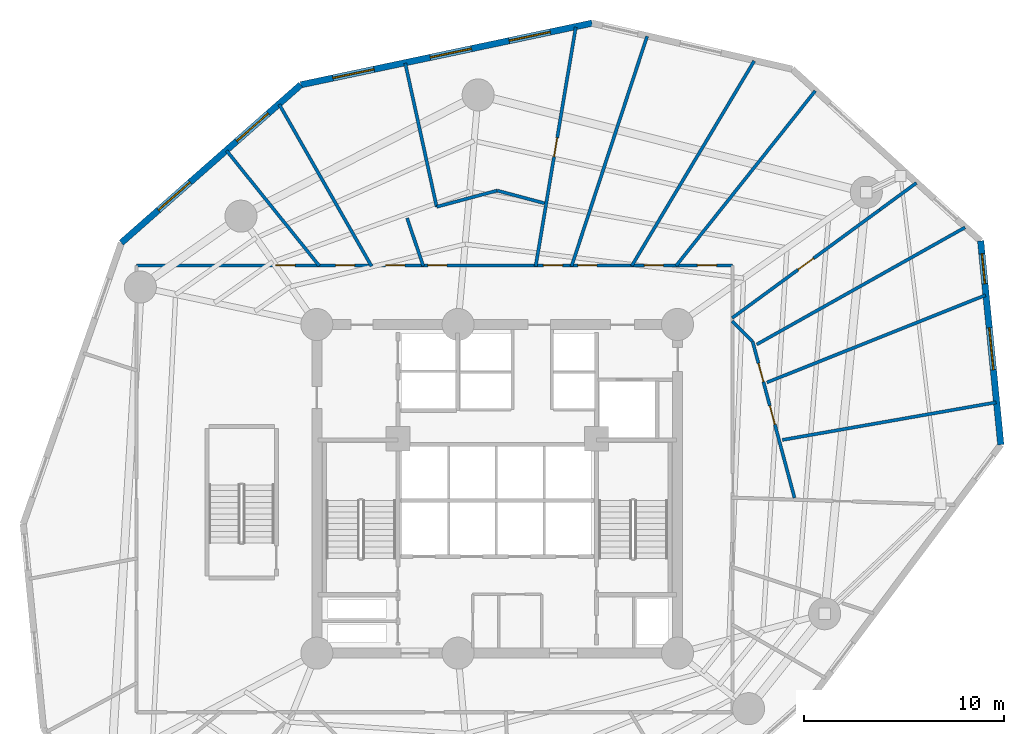
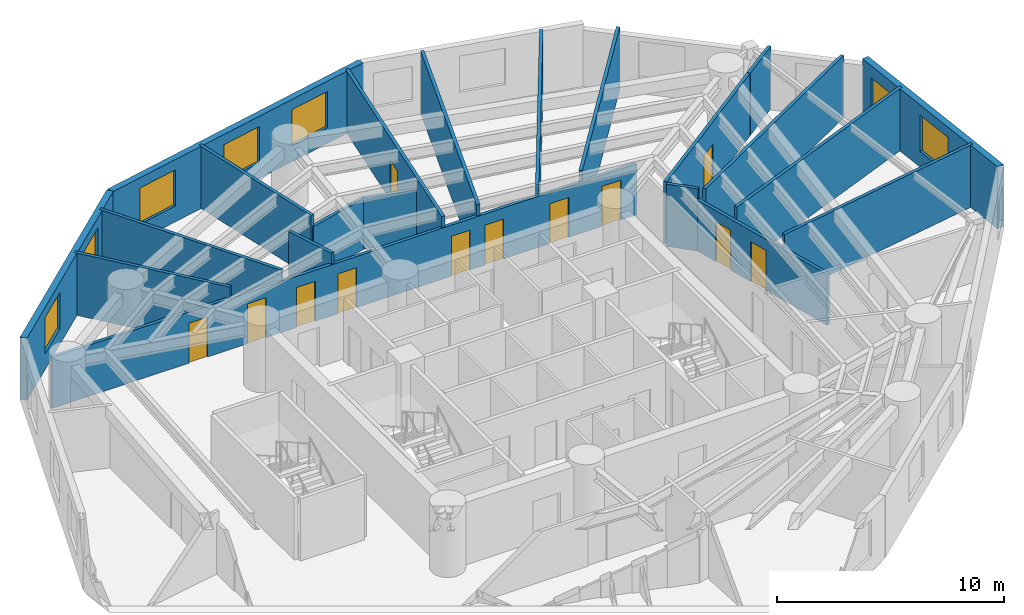
# One storey, part 6 of 8: 21 walls, 12 doors, 7 windows, 19 openings.
"""IFC4 building model written with IfcOpenShell, lengths in metres."""

import ifcopenshell
import ifcopenshell.guid

model = None  # the IFC model being written
_history = None  # IfcOwnerHistory: only IFC2X3 demands one
_inside = {}  # id of a spatial element -> (the spatial element, [elements in it])
_under = {}  # id of a project, library or spatial element -> (it, [spatial elements below it])
_declared = {}  # id of a project -> (the project, [libraries it declares])
_typed = {}  # id of a type object -> (the type object, [elements of that type])
_made_of = {}  # id of a material, layer set ... -> (it, [elements and type objects made of it])


def new_model(schema):
    """Start an empty IFC model of exactly this schema.

    Asked for "IFC4X3", IfcOpenShell would pick the latest addendum, in which some entities
    have other attributes; the version numbers below select the first issue.
    IFC2X3 requires an IfcOwnerHistory on every rooted entity: one is made here for all.
    """
    global model, _history
    if schema == "IFC4X3":
        model = ifcopenshell.file(schema_version=(4, 3, 0, 0))
    else:
        model = ifcopenshell.file(schema=schema)
    _inside.clear()
    _under.clear()
    _declared.clear()
    _typed.clear()
    _made_of.clear()
    _history = None
    if model.schema == "IFC2X3":
        org = make("IfcOrganization", Name="unknown")
        user = make(
            "IfcPersonAndOrganization",
            ThePerson=make("IfcPerson", FamilyName="unknown"),
            TheOrganization=org,
        )
        app = make(
            "IfcApplication",
            ApplicationDeveloper=org,
            Version="unknown",
            ApplicationFullName="unknown",
            ApplicationIdentifier="unknown",
        )
        _history = make(
            "IfcOwnerHistory",
            OwningUser=user,
            OwningApplication=app,
            ChangeAction="ADDED",
            CreationDate=0,
        )
    return model


def make(cls, **values):
    """One entity of the class cls with the attributes given. An attribute that is None is left unset."""
    return model.create_entity(
        cls, **{name: value for name, value in values.items() if value is not None}
    )


def rooted(cls, **values):
    """An entity with a GlobalId (a new one), such as an element, a storey or a relation."""
    return make(cls, GlobalId=ifcopenshell.guid.new(), OwnerHistory=_history, **values)


def si_unit(unit_type, name, prefix=None):
    """IfcSIUnit, for example si_unit("LENGTHUNIT", "METRE", prefix="MILLI")."""
    return make("IfcSIUnit", UnitType=unit_type, Prefix=prefix, Name=name)


def assignment(units):
    """IfcUnitAssignment: the units of a project."""
    return None if units is None else make("IfcUnitAssignment", Units=units)


def point(xyz):
    """IfcCartesianPoint."""
    return None if xyz is None else make("IfcCartesianPoint", Coordinates=xyz)


def direction(xyz):
    """IfcDirection."""
    return None if xyz is None else make("IfcDirection", DirectionRatios=xyz)


def frame(location, z_axis=None, x_axis=None):
    """IfcAxis2Placement3D, a coordinate frame: its origin and axes. An axis left out is left unset."""
    return make(
        "IfcAxis2Placement3D",
        Location=point(location),
        Axis=direction(z_axis),
        RefDirection=direction(x_axis),
    )


def frame_2d(location, x_axis=None):
    """IfcAxis2Placement2D, a coordinate frame in the plane: its origin and x axis."""
    return make(
        "IfcAxis2Placement2D", Location=point(location), RefDirection=direction(x_axis)
    )


def origin():
    """The frame at (0, 0, 0) with its axes left unset."""
    return frame((0.0, 0.0, 0.0))


def origin_with_axes():
    """The frame at (0, 0, 0) with the z axis (0, 0, 1) and the x axis (1, 0, 0) written out."""
    return frame((0.0, 0.0, 0.0), z_axis=(0.0, 0.0, 1.0), x_axis=(1.0, 0.0, 0.0))


def place(relative_to, where):
    """IfcLocalPlacement: puts the frame where relative to a parent placement (None: the world)."""
    return make(
        "IfcLocalPlacement", PlacementRelTo=relative_to, RelativePlacement=where
    )


def context(
    kind, dimensions, precision=None, world=None, true_north=None, identifier=None
):
    """IfcGeometricRepresentationContext, for example the 3D "Model" context."""
    return make(
        "IfcGeometricRepresentationContext",
        ContextIdentifier=identifier,
        ContextType=kind,
        CoordinateSpaceDimension=dimensions,
        Precision=precision,
        WorldCoordinateSystem=world,
        TrueNorth=true_north,
    )


def subcontext(parent, identifier, kind, view, scale=None):
    """IfcGeometricRepresentationSubContext, for example "Body" below "Model"."""
    return make(
        "IfcGeometricRepresentationSubContext",
        ContextIdentifier=identifier,
        ContextType=kind,
        ParentContext=parent,
        TargetScale=scale,
        TargetView=view,
    )


def project(units=None, contexts=None):
    """IfcProject with its units and contexts."""
    return rooted(
        "IfcProject",
        Name="project",
        RepresentationContexts=contexts,
        UnitsInContext=assignment(units),
    )


def spatial(cls, under=None, at=None, **own):
    """A site, building, storey or space (cls), placed at a placement, below another one or the project."""
    s = rooted(cls, ObjectPlacement=at, **own)
    if under is not None:
        _under.setdefault(under.id(), (under, []))[1].append(s)
    return s


def profile(cls, at=None, kind="AREA", **sizes):
    """A parametric profile (cls). Its sizes go by their IFC names, for example OverallWidth=200.0."""
    return make(cls, ProfileType=kind, Position=at, **sizes)


def rectangle(**sizes):
    """IfcRectangleProfileDef."""
    return profile("IfcRectangleProfileDef", **sizes)


def extrude(swept, where, along, depth):
    """IfcExtrudedAreaSolid: the profile swept, set in the frame where, extruded along a direction by depth."""
    return make(
        "IfcExtrudedAreaSolid",
        SweptArea=swept,
        Position=where,
        ExtrudedDirection=direction(along),
        Depth=depth,
    )


def shape(context_of_items, identifier, shape_type, items):
    """IfcShapeRepresentation: the items that make up one representation, for example the "Body"."""
    return make(
        "IfcShapeRepresentation",
        ContextOfItems=context_of_items,
        RepresentationIdentifier=identifier,
        RepresentationType=shape_type,
        Items=items,
    )


def source(mapping_origin, context_of_items, identifier, shape_type, items):
    """IfcRepresentationMap: a shape defined once, which mapped items show again and again."""
    return make(
        "IfcRepresentationMap",
        MappingOrigin=mapping_origin,
        MappedRepresentation=shape(context_of_items, identifier, shape_type, items),
    )


def transform(
    local_origin,
    x_axis=None,
    y_axis=None,
    z_axis=None,
    scale=None,
    scale2=None,
    scale3=None,
    uniform=True,
):
    """IfcCartesianTransformationOperator3D, or its non-uniform kind. x_axis, y_axis, z_axis: its Axis1, 2, 3."""
    if uniform:
        return make(
            "IfcCartesianTransformationOperator3D",
            Axis1=direction(x_axis),
            Axis2=direction(y_axis),
            LocalOrigin=point(local_origin),
            Scale=scale,
            Axis3=direction(z_axis),
        )
    return make(
        "IfcCartesianTransformationOperator3DnonUniform",
        Axis1=direction(x_axis),
        Axis2=direction(y_axis),
        LocalOrigin=point(local_origin),
        Scale=scale,
        Axis3=direction(z_axis),
        Scale2=scale2,
        Scale3=scale3,
    )


def mapped(mapping_source, mapping_target):
    """IfcMappedItem: shows the shape of a source again, moved by a transform."""
    return make(
        "IfcMappedItem", MappingSource=mapping_source, MappingTarget=mapping_target
    )


def material(Name=None, Category=None):
    """IfcMaterial."""
    return make("IfcMaterial", Name=Name, Category=Category)


def layer(
    of_material, thickness, ventilated=None, Name=None, Category=None, Priority=None
):
    """IfcMaterialLayer: one layer of a wall or slab, of a material (None: an air gap)."""
    return make(
        "IfcMaterialLayer",
        Material=of_material,
        LayerThickness=thickness,
        IsVentilated=ventilated,
        Name=Name,
        Category=Category,
        Priority=Priority,
    )


def layer_set(layers, Name=None):
    """IfcMaterialLayerSet."""
    return make("IfcMaterialLayerSet", MaterialLayers=layers, LayerSetName=Name)


def made_of(thing, what):
    """Note that an element or type object is made of a material, layer set ...; save() writes the relation."""
    if what is not None:
        _made_of.setdefault(what.id(), (what, []))[1].append(thing)
    return thing


def type_object(cls, material=None, **own):
    """A type object (cls), such as IfcWallType, which elements share."""
    return made_of(rooted(cls, **own), material)


def element(
    cls,
    number,
    at=None,
    inside=None,
    cuts=None,
    type_object=None,
    material=None,
    context=None,
    identifier="Body",
    shape_type=None,
    held_by="IfcProductDefinitionShape",
    body=None,
    shapes=None,
    **own,
):
    """One element of the class cls, such as IfcWall. Its Tag is "e" and its number.

    at: its placement. inside: the storey or other place that contains it. cuts: it is an
    opening in that element (IfcRelVoidsElement). A single representation is given by context,
    identifier, shape_type and body (its items); several are given by shapes. held_by: the class
    of the entity that holds the representations. save() writes the other relations.
    """
    e = rooted(cls, Tag="e%d" % number, ObjectPlacement=at, **own)
    if body is not None:
        shapes = [shape(context, identifier, shape_type, body)]
    if shapes is not None:
        e.Representation = make(held_by, Representations=shapes)
    if inside is not None:
        _inside.setdefault(inside.id(), (inside, []))[1].append(e)
    if cuts is not None:
        rooted(
            "IfcRelVoidsElement", RelatingBuildingElement=cuts, RelatedOpeningElement=e
        )
    if type_object is not None:
        _typed.setdefault(type_object.id(), (type_object, []))[1].append(e)
    return made_of(e, material)


def fill(opening, filler):
    """IfcRelFillsElement: the door or window that sits in an opening."""
    return rooted(
        "IfcRelFillsElement",
        RelatingOpeningElement=opening,
        RelatedBuildingElement=filler,
    )


def aggregate(whole, parts):
    """IfcRelAggregates: a whole, such as a stair, and the parts it consists of."""
    return rooted("IfcRelAggregates", RelatingObject=whole, RelatedObjects=parts)


def save(model, path):
    """Write the relations noted so far, then the file.

    IfcRelAggregates (storeys below a building ...), IfcRelContainedInSpatialStructure (elements
    in a storey), IfcRelDefinesByType, IfcRelAssociatesMaterial and IfcRelDeclares: one each for
    every whole, place, type object, material and project.
    """
    for whole, parts in _under.values():
        aggregate(whole, parts)
    for where, things in _inside.values():
        rooted(
            "IfcRelContainedInSpatialStructure",
            RelatedElements=things,
            RelatingStructure=where,
        )
    for kind, things in _typed.values():
        rooted("IfcRelDefinesByType", RelatedObjects=things, RelatingType=kind)
    for what, things in _made_of.values():
        rooted("IfcRelAssociatesMaterial", RelatedObjects=things, RelatingMaterial=what)
    for by, libraries in _declared.values():
        rooted("IfcRelDeclares", RelatingContext=by, RelatedDefinitions=libraries)
    model.write(path)


model = new_model("IFC4")

# Units and contexts
model_context = context("Model", 3, precision=1e-05, world=origin(), true_north=direction((0.0, 1.0)))
body_context = subcontext(model_context, "Body", "Model", "MODEL_VIEW")
ifc_project = project(units=[si_unit("LENGTHUNIT", "METRE"), si_unit("AREAUNIT", "SQUARE_METRE"), si_unit("VOLUMEUNIT", "CUBIC_METRE"), si_unit("PLANEANGLEUNIT", "RADIAN"), si_unit("MASSUNIT", "GRAM", prefix="KILO")], contexts=[model_context])

# Site, building, storey
site_placement = place(None, origin())
site = spatial("IfcSite", under=ifc_project, at=site_placement, CompositionType="ELEMENT")
building_placement = place(site_placement, origin())
building = spatial("IfcBuilding", under=site, at=building_placement, Name="Karkom Vertical University and Central Library", CompositionType="ELEMENT")
storey_placement = place(building_placement, frame((0.0, 0.0, 62.5)))
storey = spatial("IfcBuildingStorey", under=building, at=storey_placement, Name="L16", CompositionType="ELEMENT", Elevation=62.5)

# Wall, openings, windows
ifc_material_1 = material(Name="Brick-faced precast concrete C45/55", Category="masonry")
ifc_layer_1 = layer(ifc_material_1, 0.320068359375)
ifc_layer_set_1 = layer_set([ifc_layer_1], Name="Brick-faced precast concrete C45/55")
wall_type_1 = type_object("IfcWallType", Name="ENV-WL-BRK-320", PredefinedType="SOLIDWALL", material=ifc_layer_set_1)
wall_1_placement = place(storey_placement, frame((18.69775390625, 46.660888671875, 0.0), z_axis=(0.0, 0.0, 1.0), x_axis=(-0.750570189691, -0.66079073113, 0.0)))
wall_1 = element("IfcWall", 1, at=wall_1_placement, inside=storey, type_object=wall_type_1, Name="Level 16 Brick-Faced Precast Facade Wall 01", PredefinedType="SOLIDWALL", context=body_context, shape_type="SweptSolid", body=[
    extrude(rectangle(XDim=11.9296875, YDim=0.320068359375, at=frame_2d((5.96484375, 0.0))), origin(), (0.0, 0.0, 1.0), 3.35009765625),
])
opening_1_placement = place(wall_1_placement, frame((2.15380859375, 0.0, 0.85009765625)))
opening_1 = element("IfcOpeningElement", 2, at=opening_1_placement, cuts=wall_1, Name="Opening WN-03", PredefinedType="OPENING", context=body_context, shape_type="SweptSolid", body=[
    extrude(rectangle(XDim=2.10009765625, YDim=1.949951171875, at=frame_2d((1.050048828125, 0.97509765625))), frame((0.0, 0.169921875, 0.0), z_axis=(0.0, -1.0, 0.0), x_axis=(1.0, 0.0, 0.0)), (0.0, 0.0, 1.0), 0.340087890625),
])
opening_2_placement = place(wall_1_placement, frame((7.359619140625, 0.0, 0.85009765625)))
opening_2 = element("IfcOpeningElement", 3, at=opening_2_placement, cuts=wall_1, Name="Opening WN-03", PredefinedType="OPENING", context=body_context, shape_type="SweptSolid", body=[
    extrude(rectangle(XDim=2.10009765625, YDim=1.949951171875, at=frame_2d((1.050048828125, 0.97509765625))), frame((0.0, 0.169921875, 0.0), z_axis=(0.0, -1.0, 0.0), x_axis=(1.0, 0.0, 0.0)), (0.0, 0.0, 1.0), 0.340087890625),
])
ifc_material_2 = material(Name="Aluminium thermal-break frame with solar-control IGU", Category="aluminium")
window_type_1 = type_object("IfcWindowType", Name="ENV-WIN-WN-03", PartitioningType="SINGLE_PANEL", PredefinedType="WINDOW", material=ifc_material_2)
shared_shape_1 = source(origin_with_axes(), body_context, "Body", "SweptSolid", [
    extrude(rectangle(XDim=2.10009765625, YDim=1.949951171875, at=frame_2d((1.050048828125, 0.97509765625))), frame((0.0, 0.030029296875, 0.0), z_axis=(0.0, -1.0, 0.0), x_axis=(1.0, 0.0, 0.0)), (0.0, 0.0, 1.0), 0.06005859375),
])
window_1_placement = place(opening_1_placement, origin())
window_1 = element("IfcWindow", 4, at=window_1_placement, inside=storey, type_object=window_type_1, Name="Level 16 Punched Window 1.1", OverallHeight=1.949951171875, OverallWidth=2.10009765625, PartitioningType="SINGLE_PANEL", PredefinedType="WINDOW", context=body_context, shape_type="MappedRepresentation", body=[
    mapped(shared_shape_1, transform((0.0, 0.0, 0.0), scale=1.0)),
])
fill(opening_1, window_1)
window_2_placement = place(opening_2_placement, origin())
window_2 = element("IfcWindow", 5, at=window_2_placement, inside=storey, type_object=window_type_1, Name="Level 16 Punched Window 1.2", OverallHeight=1.949951171875, OverallWidth=2.10009765625, PartitioningType="SINGLE_PANEL", PredefinedType="WINDOW", context=body_context, shape_type="MappedRepresentation", body=[
    mapped(shared_shape_1, transform((0.0, 0.0, 0.0), scale=1.0)),
])
fill(opening_2, window_2)

wall_2_placement = place(storey_placement, frame((53.631591796875, 28.70263671875, 0.0), z_axis=(0.0, 0.0, 1.0), x_axis=(-0.098429761433, 0.995144000667, 0.0)))
wall_2 = element("IfcWall", 6, at=wall_2_placement, inside=storey, type_object=wall_type_1, Name="Level 16 Brick-Faced Precast Facade Wall 09", PredefinedType="SOLIDWALL", context=body_context, shape_type="SweptSolid", body=[
    extrude(rectangle(XDim=10.218994140625, YDim=0.320068359375, at=frame_2d((5.109375, 0.0))), origin(), (0.0, 0.0, 1.0), 3.35009765625),
])
opening_3_placement = place(wall_2_placement, frame((3.756591796875, 0.0, 0.85009765625)))
opening_3 = element("IfcOpeningElement", 7, at=opening_3_placement, cuts=wall_2, Name="Opening WN-03", PredefinedType="OPENING", context=body_context, shape_type="SweptSolid", body=[
    extrude(rectangle(XDim=2.10009765625, YDim=1.949951171875, at=frame_2d((1.050048828125, 0.97509765625))), frame((0.0, 0.169921875, 0.0), z_axis=(0.0, -1.0, 0.0), x_axis=(1.0, 0.0, 0.0)), (0.0, 0.0, 1.0), 0.340087890625),
])
opening_4_placement = place(wall_2_placement, frame((8.074462890625, 0.0, 0.85009765625)))
opening_4 = element("IfcOpeningElement", 8, at=opening_4_placement, cuts=wall_2, Name="Opening WN-05", PredefinedType="OPENING", context=body_context, shape_type="SweptSolid", body=[
    extrude(rectangle(XDim=1.5, YDim=1.85009765625, at=frame_2d((0.75, 0.925048828125))), frame((0.0, 0.169921875, 0.0), z_axis=(0.0, -1.0, 0.0), x_axis=(1.0, 0.0, 0.0)), (0.0, 0.0, 1.0), 0.340087890625),
])
window_3_placement = place(opening_3_placement, origin())
window_3 = element("IfcWindow", 9, at=window_3_placement, inside=storey, type_object=window_type_1, Name="Level 16 Punched Window 9.1", OverallHeight=1.949951171875, OverallWidth=2.10009765625, PartitioningType="SINGLE_PANEL", PredefinedType="WINDOW", context=body_context, shape_type="MappedRepresentation", body=[
    mapped(shared_shape_1, transform((0.0, 0.0, 0.0), scale=1.0)),
])
fill(opening_3, window_3)
window_type_2 = type_object("IfcWindowType", Name="ENV-WIN-WN-05", PartitioningType="SINGLE_PANEL", PredefinedType="WINDOW", material=ifc_material_2)
shared_shape_2 = source(origin_with_axes(), body_context, "Body", "SweptSolid", [
    extrude(rectangle(XDim=1.5, YDim=1.85009765625, at=frame_2d((0.75, 0.925048828125))), frame((0.0, 0.030029296875, 0.0), z_axis=(0.0, -1.0, 0.0), x_axis=(1.0, 0.0, 0.0)), (0.0, 0.0, 1.0), 0.06005859375),
])
window_4_placement = place(opening_4_placement, origin())
window_4 = element("IfcWindow", 10, at=window_4_placement, inside=storey, type_object=window_type_2, Name="Level 16 Punched Window 9.2", OverallHeight=1.85009765625, OverallWidth=1.5, PartitioningType="SINGLE_PANEL", PredefinedType="WINDOW", context=body_context, shape_type="MappedRepresentation", body=[
    mapped(shared_shape_2, transform((0.0, 0.0, 0.0), scale=1.0)),
])
fill(opening_4, window_4)

wall_3_placement = place(storey_placement, frame((33.236328125, 49.738525390625, 0.0), z_axis=(0.0, 0.0, 1.0), x_axis=(-0.9783201392, -0.207098298485, 0.0)))
wall_3 = element("IfcWall", 11, at=wall_3_placement, inside=storey, type_object=wall_type_1, Name="Level 16 Brick-Faced Precast Facade Wall 12", PredefinedType="SOLIDWALL", context=body_context, shape_type="SweptSolid", body=[
    extrude(rectangle(XDim=14.86083984375, YDim=0.320068359375, at=frame_2d((7.430419921875, 0.0))), origin(), (0.0, 0.0, 1.0), 3.35009765625),
])
opening_5_placement = place(wall_3_placement, frame((2.132568359375, 0.0, 0.85009765625)))
opening_5 = element("IfcOpeningElement", 12, at=opening_5_placement, cuts=wall_3, Name="Opening WN-03", PredefinedType="OPENING", context=body_context, shape_type="SweptSolid", body=[
    extrude(rectangle(XDim=2.10009765625, YDim=1.949951171875, at=frame_2d((1.050048828125, 0.97509765625))), frame((0.0, 0.169921875, 0.0), z_axis=(0.0, -1.0, 0.0), x_axis=(1.0, 0.0, 0.0)), (0.0, 0.0, 1.0), 0.340087890625),
])
opening_6_placement = place(wall_3_placement, frame((6.154541015625, 0.0, 0.85009765625)))
opening_6 = element("IfcOpeningElement", 13, at=opening_6_placement, cuts=wall_3, Name="Opening WN-03", PredefinedType="OPENING", context=body_context, shape_type="SweptSolid", body=[
    extrude(rectangle(XDim=2.10009765625, YDim=1.949951171875, at=frame_2d((1.050048828125, 0.97509765625))), frame((0.0, 0.169921875, 0.0), z_axis=(0.0, -1.0, 0.0), x_axis=(1.0, 0.0, 0.0)), (0.0, 0.0, 1.0), 0.340087890625),
])
opening_7_placement = place(wall_3_placement, frame((11.1181640625, 0.0, 0.85009765625)))
opening_7 = element("IfcOpeningElement", 14, at=opening_7_placement, cuts=wall_3, Name="Opening WN-03", PredefinedType="OPENING", context=body_context, shape_type="SweptSolid", body=[
    extrude(rectangle(XDim=2.10009765625, YDim=1.949951171875, at=frame_2d((1.050048828125, 0.97509765625))), frame((0.0, 0.169921875, 0.0), z_axis=(0.0, -1.0, 0.0), x_axis=(1.0, 0.0, 0.0)), (0.0, 0.0, 1.0), 0.340087890625),
])
window_5_placement = place(opening_5_placement, origin())
window_5 = element("IfcWindow", 15, at=window_5_placement, inside=storey, type_object=window_type_1, Name="Level 16 Punched Window 12.1", OverallHeight=1.949951171875, OverallWidth=2.10009765625, PartitioningType="SINGLE_PANEL", PredefinedType="WINDOW", context=body_context, shape_type="MappedRepresentation", body=[
    mapped(shared_shape_1, transform((0.0, 0.0, 0.0), scale=1.0)),
])
fill(opening_5, window_5)
window_6_placement = place(opening_6_placement, origin())
window_6 = element("IfcWindow", 16, at=window_6_placement, inside=storey, type_object=window_type_1, Name="Level 16 Punched Window 12.2", OverallHeight=1.949951171875, OverallWidth=2.10009765625, PartitioningType="SINGLE_PANEL", PredefinedType="WINDOW", context=body_context, shape_type="MappedRepresentation", body=[
    mapped(shared_shape_1, transform((0.0, 0.0, 0.0), scale=1.0)),
])
fill(opening_6, window_6)
window_7_placement = place(opening_7_placement, origin())
window_7 = element("IfcWindow", 17, at=window_7_placement, inside=storey, type_object=window_type_1, Name="Level 16 Punched Window 12.3", OverallHeight=1.949951171875, OverallWidth=2.10009765625, PartitioningType="SINGLE_PANEL", PredefinedType="WINDOW", context=body_context, shape_type="MappedRepresentation", body=[
    mapped(shared_shape_1, transform((0.0, 0.0, 0.0), scale=1.0)),
])
fill(opening_7, window_7)

# Wall, openings, doors
ifc_material_3 = material(Name="Insulated metal-stud drywall 160mm", Category="gypsum")
ifc_layer_2 = layer(ifc_material_3, 0.159912109375)
ifc_layer_set_2 = layer_set([ifc_layer_2], Name="Insulated metal-stud drywall 160mm")
wall_type_2 = type_object("IfcWallType", Name="INT-WL-COR-160", PredefinedType="PARTITIONING", material=ifc_layer_set_2)
wall_4_placement = place(storey_placement, frame((10.5, 37.64990234375, 0.0), z_axis=(0.0, 0.0, 1.0), x_axis=(1.0, 0.0, 0.0)))
wall_4 = element("IfcWall", 18, at=wall_4_placement, inside=storey, type_object=wall_type_2, Name="Level 16 Interior Partition Wall L16-CORW-CW-003", PredefinedType="PARTITIONING", context=body_context, shape_type="SweptSolid", body=[
    extrude(rectangle(XDim=29.75, YDim=0.159912109375, at=frame_2d((14.875, 0.0))), origin(), (0.0, 0.0, 1.0), 2.75),
])
opening_8_placement = place(wall_4_placement, frame((27.990234375, 0.0, 0.0)))
opening_8 = element("IfcOpeningElement", 19, at=opening_8_placement, cuts=wall_4, Name="Opening FD-RM2", PredefinedType="OPENING", context=body_context, shape_type="SweptSolid", body=[
    extrude(rectangle(XDim=0.9599609375, YDim=2.14990234375, at=frame_2d((0.47998046875, 1.074951171875))), frame((0.0, 0.08984375, 0.0), z_axis=(0.0, -1.0, 0.0), x_axis=(1.0, 0.0, 0.0)), (0.0, 0.0, 1.0), 0.179931640625),
])
opening_9_placement = place(wall_4_placement, frame((25.341796875, 0.0, 0.0)))
opening_9 = element("IfcOpeningElement", 20, at=opening_9_placement, cuts=wall_4, Name="Opening D-RM1", PredefinedType="OPENING", context=body_context, shape_type="SweptSolid", body=[
    extrude(rectangle(XDim=0.949951171875, YDim=2.14990234375, at=frame_2d((0.47509765625, 1.074951171875))), frame((0.0, 0.08984375, 0.0), z_axis=(0.0, -1.0, 0.0), x_axis=(1.0, 0.0, 0.0)), (0.0, 0.0, 1.0), 0.179931640625),
])
opening_10_placement = place(wall_4_placement, frame((22.027587890625, 0.0, 0.0)))
opening_10 = element("IfcOpeningElement", 21, at=opening_10_placement, cuts=wall_4, Name="Opening D-RM1", PredefinedType="OPENING", context=body_context, shape_type="SweptSolid", body=[
    extrude(rectangle(XDim=0.949951171875, YDim=2.14990234375, at=frame_2d((0.47509765625, 1.074951171875))), frame((0.0, 0.08984375, 0.0), z_axis=(0.0, -1.0, 0.0), x_axis=(1.0, 0.0, 0.0)), (0.0, 0.0, 1.0), 0.179931640625),
])
opening_11_placement = place(wall_4_placement, frame((20.3095703125, 0.0, 0.0)))
opening_11 = element("IfcOpeningElement", 22, at=opening_11_placement, cuts=wall_4, Name="Opening FD-RM2", PredefinedType="OPENING", context=body_context, shape_type="SweptSolid", body=[
    extrude(rectangle(XDim=0.9599609375, YDim=2.14990234375, at=frame_2d((0.47998046875, 1.074951171875))), frame((0.0, 0.08984375, 0.0), z_axis=(0.0, -1.0, 0.0), x_axis=(1.0, 0.0, 0.0)), (0.0, 0.0, 1.0), 0.179931640625),
])
opening_12_placement = place(wall_4_placement, frame((14.5400390625, 0.0, 0.0)))
opening_12 = element("IfcOpeningElement", 23, at=opening_12_placement, cuts=wall_4, Name="Opening D-RM1", PredefinedType="OPENING", context=body_context, shape_type="SweptSolid", body=[
    extrude(rectangle(XDim=0.949951171875, YDim=2.14990234375, at=frame_2d((0.47509765625, 1.074951171875))), frame((0.0, 0.08984375, 0.0), z_axis=(0.0, -1.0, 0.0), x_axis=(1.0, 0.0, 0.0)), (0.0, 0.0, 1.0), 0.179931640625),
])
opening_13_placement = place(wall_4_placement, frame((12.430419921875, 0.0, 0.0)))
opening_13 = element("IfcOpeningElement", 24, at=opening_13_placement, cuts=wall_4, Name="Opening FD-RM2", PredefinedType="OPENING", context=body_context, shape_type="SweptSolid", body=[
    extrude(rectangle(XDim=0.9599609375, YDim=2.14990234375, at=frame_2d((0.47998046875, 1.074951171875))), frame((0.0, 0.08984375, 0.0), z_axis=(0.0, -1.0, 0.0), x_axis=(1.0, 0.0, 0.0)), (0.0, 0.0, 1.0), 0.179931640625),
])
opening_14_placement = place(wall_4_placement, frame((9.9375, 0.0, 0.0)))
opening_14 = element("IfcOpeningElement", 25, at=opening_14_placement, cuts=wall_4, Name="Opening D-RM1", PredefinedType="OPENING", context=body_context, shape_type="SweptSolid", body=[
    extrude(rectangle(XDim=0.949951171875, YDim=2.14990234375, at=frame_2d((0.47509765625, 1.074951171875))), frame((0.0, 0.08984375, 0.0), z_axis=(0.0, -1.0, 0.0), x_axis=(1.0, 0.0, 0.0)), (0.0, 0.0, 1.0), 0.179931640625),
])
opening_15_placement = place(wall_4_placement, frame((6.96240234375, 0.0, 0.0)))
opening_15 = element("IfcOpeningElement", 26, at=opening_15_placement, cuts=wall_4, Name="Opening D-RM1", PredefinedType="OPENING", context=body_context, shape_type="SweptSolid", body=[
    extrude(rectangle(XDim=0.949951171875, YDim=2.14990234375, at=frame_2d((0.47509765625, 1.074951171875))), frame((0.0, 0.08984375, 0.0), z_axis=(0.0, -1.0, 0.0), x_axis=(1.0, 0.0, 0.0)), (0.0, 0.0, 1.0), 0.179931640625),
])
ifc_material_4 = material(Name="Fire-rated oak veneer door", Category="wood")
door_type_1 = type_object("IfcDoorType", Name="INT-DR-FRM2", OperationType="NOTDEFINED", PredefinedType="DOOR", material=ifc_material_4)
shared_shape_3 = source(origin_with_axes(), body_context, "Body", "SweptSolid", [
    extrude(rectangle(XDim=0.9599609375, YDim=2.14990234375, at=frame_2d((0.47998046875, 1.074951171875))), frame((0.0, 0.02490234375, 0.0), z_axis=(0.0, -1.0, 0.0), x_axis=(1.0, 0.0, 0.0)), (0.0, 0.0, 1.0), 0.050048828125),
])
door_1_placement = place(opening_8_placement, origin())
door_1 = element("IfcDoor", 27, at=door_1_placement, inside=storey, type_object=door_type_1, Name="Level 16 Room Entry Door 180", OperationType="SINGLE_SWING_LEFT", OverallHeight=2.14990234375, OverallWidth=0.9599609375, PredefinedType="DOOR", context=body_context, shape_type="MappedRepresentation", body=[
    mapped(shared_shape_3, transform((0.0, 0.0, 0.0), scale=1.0)),
])
fill(opening_8, door_1)
door_2_placement = place(opening_11_placement, origin())
door_2 = element("IfcDoor", 28, at=door_2_placement, inside=storey, type_object=door_type_1, Name="Level 16 Room Entry Door 210", OperationType="SINGLE_SWING_RIGHT", OverallHeight=2.14990234375, OverallWidth=0.9599609375, PredefinedType="DOOR", context=body_context, shape_type="MappedRepresentation", body=[
    mapped(shared_shape_3, transform((0.0, 0.0, 0.0), scale=1.0)),
])
fill(opening_11, door_2)
door_3_placement = place(opening_13_placement, origin())
door_3 = element("IfcDoor", 29, at=door_3_placement, inside=storey, type_object=door_type_1, Name="Level 16 Room Entry Door 240", OperationType="SINGLE_SWING_RIGHT", OverallHeight=2.14990234375, OverallWidth=0.9599609375, PredefinedType="DOOR", context=body_context, shape_type="MappedRepresentation", body=[
    mapped(shared_shape_3, transform((0.0, 0.0, 0.0), scale=1.0)),
])
fill(opening_13, door_3)
ifc_material_5 = material(Name="Solid-core oak veneer door", Category="wood")
door_type_2 = type_object("IfcDoorType", Name="INT-DR-RM1", OperationType="NOTDEFINED", PredefinedType="DOOR", material=ifc_material_5)
shared_shape_4 = source(origin_with_axes(), body_context, "Body", "SweptSolid", [
    extrude(rectangle(XDim=0.949951171875, YDim=2.14990234375, at=frame_2d((0.47509765625, 1.074951171875))), frame((0.0, 0.02490234375, 0.0), z_axis=(0.0, -1.0, 0.0), x_axis=(1.0, 0.0, 0.0)), (0.0, 0.0, 1.0), 0.050048828125),
])
door_4_placement = place(opening_9_placement, origin())
door_4 = element("IfcDoor", 30, at=door_4_placement, inside=storey, type_object=door_type_2, Name="Level 16 Room Entry Door 190", OperationType="SINGLE_SWING_RIGHT", OverallHeight=2.14990234375, OverallWidth=0.949951171875, PredefinedType="DOOR", context=body_context, shape_type="MappedRepresentation", body=[
    mapped(shared_shape_4, transform((0.0, 0.0, 0.0), scale=1.0)),
])
fill(opening_9, door_4)
door_5_placement = place(opening_10_placement, origin())
door_5 = element("IfcDoor", 31, at=door_5_placement, inside=storey, type_object=door_type_2, Name="Level 16 Room Entry Door 200", OperationType="SINGLE_SWING_LEFT", OverallHeight=2.14990234375, OverallWidth=0.949951171875, PredefinedType="DOOR", context=body_context, shape_type="MappedRepresentation", body=[
    mapped(shared_shape_4, transform((0.0, 0.0, 0.0), scale=1.0)),
])
fill(opening_10, door_5)
door_6_placement = place(opening_12_placement, origin())
door_6 = element("IfcDoor", 32, at=door_6_placement, inside=storey, type_object=door_type_2, Name="Level 16 Room Entry Door 230", OperationType="SINGLE_SWING_LEFT", OverallHeight=2.14990234375, OverallWidth=0.949951171875, PredefinedType="DOOR", context=body_context, shape_type="MappedRepresentation", body=[
    mapped(shared_shape_4, transform((0.0, 0.0, 0.0), scale=1.0)),
])
fill(opening_12, door_6)
door_7_placement = place(opening_14_placement, origin())
door_7 = element("IfcDoor", 33, at=door_7_placement, inside=storey, type_object=door_type_2, Name="Level 16 Room Entry Door 250", OperationType="SINGLE_SWING_LEFT", OverallHeight=2.14990234375, OverallWidth=0.949951171875, PredefinedType="DOOR", context=body_context, shape_type="MappedRepresentation", body=[
    mapped(shared_shape_4, transform((0.0, 0.0, 0.0), scale=1.0)),
])
fill(opening_14, door_7)
door_8_placement = place(opening_15_placement, origin())
door_8 = element("IfcDoor", 34, at=door_8_placement, inside=storey, type_object=door_type_2, Name="Level 16 Room Entry Door 260", OperationType="SINGLE_SWING_RIGHT", OverallHeight=2.14990234375, OverallWidth=0.949951171875, PredefinedType="DOOR", context=body_context, shape_type="MappedRepresentation", body=[
    mapped(shared_shape_4, transform((0.0, 0.0, 0.0), scale=1.0)),
])
fill(opening_15, door_8)

# Wall, opening, door
wall_5_placement = place(storey_placement, frame((30.422119140625, 37.605712890625, 0.0), z_axis=(0.0, 0.0, 1.0), x_axis=(0.16531531348, 0.986240765295, 0.0)))
wall_5 = element("IfcWall", 35, at=wall_5_placement, inside=storey, type_object=wall_type_2, Name="Level 16 Interior Partition Wall L16-PW-035", PredefinedType="PARTITIONING", context=body_context, shape_type="SweptSolid", body=[
    extrude(rectangle(XDim=12.0966796875, YDim=0.159912109375, at=frame_2d((6.04833984375, 0.0))), origin(), (0.0, 0.0, 1.0), 3.35009765625),
])
opening_16_placement = place(wall_5_placement, frame((5.54833984375, 0.0, 0.0)))
opening_16 = element("IfcOpeningElement", 36, at=opening_16_placement, cuts=wall_5, Name="Opening D-RM1", PredefinedType="OPENING", context=body_context, shape_type="SweptSolid", body=[
    extrude(rectangle(XDim=0.949951171875, YDim=2.14990234375, at=frame_2d((0.47509765625, 1.074951171875))), frame((0.0, 0.08984375, 0.0), z_axis=(0.0, -1.0, 0.0), x_axis=(1.0, 0.0, 0.0)), (0.0, 0.0, 1.0), 0.179931640625),
])
door_9_placement = place(opening_16_placement, origin())
door_9 = element("IfcDoor", 37, at=door_9_placement, inside=storey, type_object=door_type_2, Name="Level 16 Room Entry Door 220", OperationType="SINGLE_SWING_LEFT", OverallHeight=2.14990234375, OverallWidth=0.949951171875, PredefinedType="DOOR", context=body_context, shape_type="MappedRepresentation", body=[
    mapped(shared_shape_4, transform((0.0, 0.0, 0.0), scale=1.0)),
])
fill(opening_16, door_9)

# Walls
wall_6_placement = place(storey_placement, frame((32.2119140625, 37.607177734375, 0.0), z_axis=(0.0, 0.0, 1.0), x_axis=(0.312083182385, 0.950054781195, 0.0)))
element("IfcWall", 38, at=wall_6_placement, inside=storey, type_object=wall_type_2, Name="Level 16 Interior Partition Wall L16-PW-034", PredefinedType="PARTITIONING", context=body_context, shape_type="SweptSolid", body=[
    extrude(rectangle(XDim=12.07861328125, YDim=0.159912109375, at=frame_2d((6.039306640625, 0.0))), origin(), (0.0, 0.0, 1.0), 3.35009765625),
])
wall_7_placement = place(storey_placement, frame((41.451904296875, 33.706298828125, 0.0), z_axis=(0.0, 0.0, 1.0), x_axis=(0.87188055056, 0.489718598335, 0.0)))
element("IfcWall", 39, at=wall_7_placement, inside=storey, type_object=wall_type_2, Name="Level 16 Interior Partition Wall L16-PW-029", PredefinedType="PARTITIONING", context=body_context, shape_type="SweptSolid", body=[
    extrude(rectangle(XDim=11.92138671875, YDim=0.159912109375, at=frame_2d((5.960693359375, 0.0))), origin(), (0.0, 0.0, 1.0), 3.35009765625),
])
wall_8_placement = place(storey_placement, frame((35.21533203125, 37.624267578125, 0.0), z_axis=(0.0, 0.0, 1.0), x_axis=(0.512861528195, 0.858471346579, 0.0)))
element("IfcWall", 40, at=wall_8_placement, inside=storey, type_object=wall_type_2, Name="Level 16 Interior Partition Wall L16-PW-033", PredefinedType="PARTITIONING", context=body_context, shape_type="SweptSolid", body=[
    extrude(rectangle(XDim=11.914306640625, YDim=0.159912109375, at=frame_2d((5.95703125, 0.0))), origin(), (0.0, 0.0, 1.0), 3.35009765625),
])
wall_9_placement = place(storey_placement, frame((41.960205078125, 31.80908203125, 0.0), z_axis=(0.0, 0.0, 1.0), x_axis=(0.928727403057, 0.370763281368, 0.0)))
element("IfcWall", 41, at=wall_9_placement, inside=storey, type_object=wall_type_2, Name="Level 16 Interior Partition Wall L16-PW-028", PredefinedType="PARTITIONING", context=body_context, shape_type="SweptSolid", body=[
    extrude(rectangle(XDim=11.74267578125, YDim=0.159912109375, at=frame_2d((5.871337890625, 0.0))), origin(), (0.0, 0.0, 1.0), 3.35009765625),
])
wall_10_placement = place(storey_placement, frame((37.42578125, 37.62646484375, 0.0), z_axis=(0.0, 0.0, 1.0), x_axis=(0.62246479183, 0.782647802611, 0.0)))
element("IfcWall", 42, at=wall_10_placement, inside=storey, type_object=wall_type_2, Name="Level 16 Interior Partition Wall L16-PW-032", PredefinedType="PARTITIONING", context=body_context, shape_type="SweptSolid", body=[
    extrude(rectangle(XDim=11.15966796875, YDim=0.159912109375, at=frame_2d((5.579833984375, 0.0))), origin(), (0.0, 0.0, 1.0), 3.35009765625),
])
wall_11_placement = place(storey_placement, frame((42.72900390625, 28.9404296875, 0.0), z_axis=(0.0, 0.0, 1.0), x_axis=(0.984896798887, 0.173142414048, 0.0)))
element("IfcWall", 43, at=wall_11_placement, inside=storey, type_object=wall_type_2, Name="Level 16 Interior Partition Wall L16-PW-025", PredefinedType="PARTITIONING", context=body_context, shape_type="SweptSolid", body=[
    extrude(rectangle(XDim=10.83203125, YDim=0.159912109375, at=frame_2d((5.416015625, 0.0))), origin(), (0.0, 0.0, 1.0), 3.35009765625),
])
wall_12_placement = place(storey_placement, frame((22.23046875, 37.61083984375, 0.0), z_axis=(0.0, 0.0, 1.0), x_axis=(-0.49551633336, 0.868598620407, 0.0)))
element("IfcWall", 44, at=wall_12_placement, inside=storey, type_object=wall_type_2, Name="Level 16 Interior Partition Wall L16-PW-040", PredefinedType="PARTITIONING", context=body_context, shape_type="SweptSolid", body=[
    extrude(rectangle(XDim=9.292236328125, YDim=0.159912109375, at=frame_2d((4.64599609375, 0.0))), origin(), (0.0, 0.0, 1.0), 3.35009765625),
])

# Wall, opening, door
wall_13_placement = place(storey_placement, frame((40.225830078125, 35.0234375, 0.0), z_axis=(0.0, 0.0, 1.0), x_axis=(0.806433081641, 0.591325362922, 0.0)))
wall_13 = element("IfcWall", 45, at=wall_13_placement, inside=storey, type_object=wall_type_2, Name="Level 16 Interior Partition Wall L16-PW-030", PredefinedType="PARTITIONING", context=body_context, shape_type="SweptSolid", body=[
    extrude(rectangle(XDim=9.119384765625, YDim=0.159912109375, at=frame_2d((4.5595703125, 0.0))), origin(), (0.0, 0.0, 1.0), 3.35009765625),
])
opening_17_placement = place(wall_13_placement, frame((4.084716796875, 0.0, 0.0)))
opening_17 = element("IfcOpeningElement", 46, at=opening_17_placement, cuts=wall_13, Name="Opening D-RM1", PredefinedType="OPENING", context=body_context, shape_type="SweptSolid", body=[
    extrude(rectangle(XDim=0.949951171875, YDim=2.14990234375, at=frame_2d((0.47509765625, 1.074951171875))), frame((0.0, 0.08984375, 0.0), z_axis=(0.0, -1.0, 0.0), x_axis=(1.0, 0.0, 0.0)), (0.0, 0.0, 1.0), 0.179931640625),
])
door_10_placement = place(opening_17_placement, origin())
door_10 = element("IfcDoor", 47, at=door_10_placement, inside=storey, type_object=door_type_2, Name="Level 16 Room Entry Door 170", OperationType="SINGLE_SWING_RIGHT", OverallHeight=2.14990234375, OverallWidth=0.949951171875, PredefinedType="DOOR", context=body_context, shape_type="MappedRepresentation", body=[
    mapped(shared_shape_4, transform((0.0, 0.0, 0.0), scale=1.0)),
])
fill(opening_17, door_10)

# Wall, openings, doors
wall_14_placement = place(storey_placement, frame((41.245361328125, 33.858642578125, 0.0), z_axis=(0.0, 0.0, 1.0), x_axis=(0.258823600504, -0.965924605661, 0.0)))
wall_14 = element("IfcWall", 48, at=wall_14_placement, inside=storey, type_object=wall_type_2, Name="Level 16 Interior Partition Wall L16-PW-026", PredefinedType="PARTITIONING", context=body_context, shape_type="SweptSolid", body=[
    extrude(rectangle(XDim=8.087646484375, YDim=0.159912109375, at=frame_2d((4.0439453125, 0.0))), origin(), (0.0, 0.0, 1.0), 2.75),
])
opening_18_placement = place(wall_14_placement, frame((3.333984375, 0.0, 0.0)))
opening_18 = element("IfcOpeningElement", 49, at=opening_18_placement, cuts=wall_14, Name="Opening FD-RM2", PredefinedType="OPENING", context=body_context, shape_type="SweptSolid", body=[
    extrude(rectangle(XDim=0.9599609375, YDim=2.14990234375, at=frame_2d((0.47998046875, 1.074951171875))), frame((0.0, 0.08984375, 0.0), z_axis=(0.0, -1.0, 0.0), x_axis=(1.0, 0.0, 0.0)), (0.0, 0.0, 1.0), 0.179931640625),
])
opening_19_placement = place(wall_14_placement, frame((1.139404296875, 0.0, 0.0)))
opening_19 = element("IfcOpeningElement", 50, at=opening_19_placement, cuts=wall_14, Name="Opening D-RM1", PredefinedType="OPENING", context=body_context, shape_type="SweptSolid", body=[
    extrude(rectangle(XDim=0.949951171875, YDim=2.14990234375, at=frame_2d((0.47509765625, 1.074951171875))), frame((0.0, 0.08984375, 0.0), z_axis=(0.0, -1.0, 0.0), x_axis=(1.0, 0.0, 0.0)), (0.0, 0.0, 1.0), 0.179931640625),
])
door_11_placement = place(opening_18_placement, origin())
door_11 = element("IfcDoor", 51, at=door_11_placement, inside=storey, type_object=door_type_1, Name="Level 16 Room Entry Door 150", OperationType="SINGLE_SWING_RIGHT", OverallHeight=2.14990234375, OverallWidth=0.9599609375, PredefinedType="DOOR", context=body_context, shape_type="MappedRepresentation", body=[
    mapped(shared_shape_3, transform((0.0, 0.0, 0.0), scale=1.0)),
])
fill(opening_18, door_11)
door_12_placement = place(opening_19_placement, origin())
door_12 = element("IfcDoor", 52, at=door_12_placement, inside=storey, type_object=door_type_2, Name="Level 16 Room Entry Door 160", OperationType="SINGLE_SWING_LEFT", OverallHeight=2.14990234375, OverallWidth=0.949951171875, PredefinedType="DOOR", context=body_context, shape_type="MappedRepresentation", body=[
    mapped(shared_shape_4, transform((0.0, 0.0, 0.0), scale=1.0)),
])
fill(opening_19, door_12)

# Walls
wall_15_placement = place(storey_placement, frame((19.624267578125, 37.626708984375, 0.0), z_axis=(0.0, 0.0, 1.0), x_axis=(-0.626896706466, 0.779102380578, 0.0)))
element("IfcWall", 53, at=wall_15_placement, inside=storey, type_object=wall_type_2, Name="Level 16 Interior Partition Wall L16-PW-041", PredefinedType="PARTITIONING", context=body_context, shape_type="SweptSolid", body=[
    extrude(rectangle(XDim=7.375244140625, YDim=0.159912109375, at=frame_2d((3.6875, 0.0))), origin(), (0.0, 0.0, 1.0), 3.35009765625),
])
wall_16_placement = place(storey_placement, frame((25.48095703125, 40.573974609375, 0.0), z_axis=(0.0, 0.0, 1.0), x_axis=(-0.213820958003, 0.976872866815, 0.0)))
element("IfcWall", 54, at=wall_16_placement, inside=storey, type_object=wall_type_2, Name="Level 16 Interior Partition Wall L16-PW-038", PredefinedType="PARTITIONING", context=body_context, shape_type="SweptSolid", body=[
    extrude(rectangle(XDim=7.3349609375, YDim=0.159912109375, at=frame_2d((3.66748046875, 0.0))), origin(), (0.0, 0.0, 1.0), 3.35009765625),
])
wall_17_placement = place(storey_placement, frame((28.5, 41.3828125, 0.0), z_axis=(0.0, 0.0, 1.0), x_axis=(-0.965934803012, -0.258785541192, 0.0)))
element("IfcWall", 55, at=wall_17_placement, inside=storey, type_object=wall_type_2, Name="Level 16 Interior Partition Wall L16-PW-036", PredefinedType="PARTITIONING", context=body_context, shape_type="SweptSolid", body=[
    extrude(rectangle(XDim=3.12548828125, YDim=0.159912109375, at=frame_2d((1.562744140625, 0.0))), origin(), (0.0, 0.0, 1.0), 2.75),
])
wall_18_placement = place(storey_placement, frame((24.811767578125, 37.62158203125, 0.0), z_axis=(0.0, 0.0, 1.0), x_axis=(-0.319650532491, 0.947535507028, 0.0)))
element("IfcWall", 56, at=wall_18_placement, inside=storey, type_object=wall_type_2, Name="Level 16 Interior Partition Wall L16-PW-039", PredefinedType="PARTITIONING", context=body_context, shape_type="SweptSolid", body=[
    extrude(rectangle(XDim=2.5234375, YDim=0.159912109375, at=frame_2d((1.26171875, 0.0))), origin(), (0.0, 0.0, 1.0), 3.35009765625),
])
wall_19_placement = place(storey_placement, frame((30.861083984375, 40.750244140625, 0.0), z_axis=(0.0, 0.0, 1.0), x_axis=(-0.965934231635, 0.258787673887, 0.0)))
element("IfcWall", 57, at=wall_19_placement, inside=storey, type_object=wall_type_2, Name="Level 16 Interior Partition Wall L16-PW-037", PredefinedType="PARTITIONING", context=body_context, shape_type="SweptSolid", body=[
    extrude(rectangle(XDim=2.4443359375, YDim=0.159912109375, at=frame_2d((1.22216796875, 0.0))), origin(), (0.0, 0.0, 1.0), 2.75),
])
wall_20_placement = place(storey_placement, frame((47.583984375, 40.4189453125, 0.0), z_axis=(0.0, 0.0, 1.0), x_axis=(0.806418616354, 0.591345089772, 0.0)))
element("IfcWall", 58, at=wall_20_placement, inside=storey, type_object=wall_type_2, Name="Level 16 Interior Partition Wall L16-PW-031", PredefinedType="PARTITIONING", context=body_context, shape_type="SweptSolid", body=[
    extrude(rectangle(XDim=2.279296875, YDim=0.159912109375, at=frame_2d((1.1396484375, 0.0))), origin(), (0.0, 0.0, 1.0), 3.35009765625),
])
wall_21_placement = place(storey_placement, frame((40.228759765625, 34.875244140625, 0.0), z_axis=(0.0, 0.0, 1.0), x_axis=(0.707106781187, -0.707106781187, 0.0)))
element("IfcWall", 59, at=wall_21_placement, inside=storey, type_object=wall_type_2, Name="Level 16 Interior Partition Wall L16-PW-027", PredefinedType="PARTITIONING", context=body_context, shape_type="SweptSolid", body=[
    extrude(rectangle(XDim=1.437744140625, YDim=0.159912109375, at=frame_2d((0.71875, 0.0))), origin(), (0.0, 0.0, 1.0), 3.35009765625),
])

save(model, "model.ifc")
